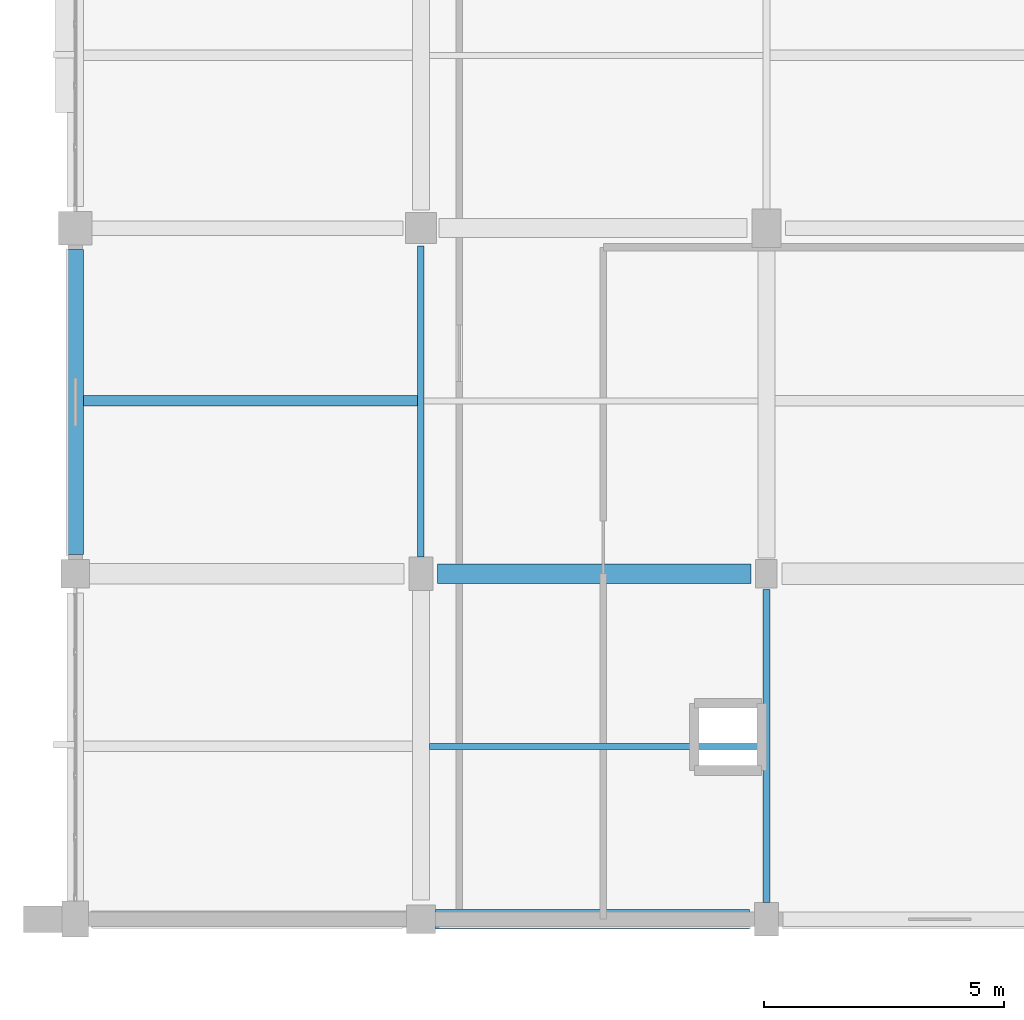
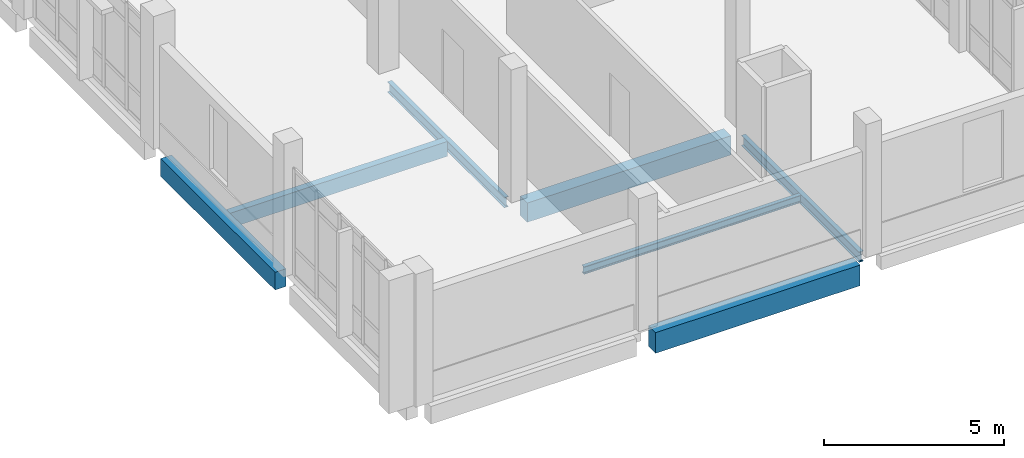
# One storey, part 8 of 124: 7 beams.
"""IFC4 building model written with IfcOpenShell, lengths in metres."""

from ifc_helpers import new_model, si_unit, direction, frame, origin, origin_2d, place, context, subcontext, project, spatial, rectangle, i_section, extrude, material, material_profile, profile_set, type_object, element, save


model = new_model("IFC4")

# Units and contexts
model_context = context("Model", 3, precision=1e-05, world=origin(), true_north=direction((0.0, 1.0)))
body_context = subcontext(model_context, "Body", "Model", "MODEL_VIEW")
ifc_project = project(units=[si_unit("LENGTHUNIT", "METRE"), si_unit("AREAUNIT", "SQUARE_METRE"), si_unit("VOLUMEUNIT", "CUBIC_METRE"), si_unit("PLANEANGLEUNIT", "RADIAN"), si_unit("MASSUNIT", "GRAM", prefix="KILO")], contexts=[model_context])

# Site, building, storey
site_placement = place(None, origin())
site = spatial("IfcSite", under=ifc_project, at=site_placement, CompositionType="ELEMENT")
building_placement = place(site_placement, origin())
building = spatial("IfcBuilding", under=site, at=building_placement, Name="Kalluvel Institute of Natural Sciences", CompositionType="ELEMENT")
storey_placement = place(building_placement, frame((0.0, 0.0, 9.89990234375)))
storey = spatial("IfcBuildingStorey", under=building, at=storey_placement, Name="L02", CompositionType="ELEMENT", Elevation=9.89990234375)

# Beams
ifc_material_1 = material(Name="Steel E350 Grade 350", Category="steel")
ifc_material_profile_1 = material_profile(ifc_material_1, i_section(OverallWidth=0.139892578125, OverallDepth=0.35009765625, WebThickness=0.008056640625, FlangeThickness=0.01416015625, FilletRadius=0.013916015625, at=origin_2d()), Name="ISMB 350")
ifc_profile_set_1 = profile_set([ifc_material_profile_1], Name="Steel E350 Grade 350")
beam_type_1 = type_object("IfcBeamType", Name="BM-ISMB350", PredefinedType="BEAM", material=ifc_profile_set_1)
beam_1_placement = place(storey_placement, frame((21.199951171875, 21.550048828125, -0.474853515625), z_axis=(0.0, 1.0, 0.0), x_axis=(-1.0, 0.0, 0.0)))
element("IfcBeam", 1, at=beam_1_placement, inside=storey, type_object=beam_type_1, Name="L02 girder GIR-L02-NS-X212-Y212", PredefinedType="BEAM", context=body_context, shape_type="SweptSolid", body=[
    extrude(i_section(OverallWidth=0.139892578125, OverallDepth=0.35009765625, WebThickness=0.008056640625, FlangeThickness=0.01416015625, FilletRadius=0.013916015625, at=origin_2d()), origin(), (0.0, 0.0, 1.0), 6.474853515625),
])
beam_2_placement = place(storey_placement, frame((28.39990234375, 14.35009765625, -0.474853515625), z_axis=(0.0, 1.0, 0.0), x_axis=(-1.0, 0.0, 0.0)))
element("IfcBeam", 2, at=beam_2_placement, inside=storey, type_object=beam_type_1, Name="L02 girder GIR-L02-NS-X284-Y140", PredefinedType="BEAM", context=body_context, shape_type="SweptSolid", body=[
    extrude(i_section(OverallWidth=0.139892578125, OverallDepth=0.35009765625, WebThickness=0.008056640625, FlangeThickness=0.01416015625, FilletRadius=0.013916015625, at=origin_2d()), origin(), (0.0, 0.0, 1.0), 6.52490234375),
])
ifc_material_2 = material(Name="Concrete M40", Category="concrete")
ifc_material_profile_2 = material_profile(ifc_material_2, rectangle(XDim=0.39990234375, YDim=0.64990234375, at=origin_2d()), Name="RCB 400x650")
ifc_profile_set_2 = profile_set([ifc_material_profile_2], Name="Concrete M40")
beam_type_2 = type_object("IfcBeamType", Name="BM-RC400x650", PredefinedType="BEAM", material=ifc_profile_set_2)
beam_3_placement = place(storey_placement, frame((21.550048828125, 21.199951171875, -0.625), z_axis=(1.0, 0.0, 0.0), x_axis=(0.0, 1.0, 0.0)))
element("IfcBeam", 3, at=beam_3_placement, inside=storey, type_object=beam_type_2, Name="L02 girder GIR-L02-EW-X212-Y212", PredefinedType="BEAM", context=body_context, shape_type="SweptSolid", body=[
    extrude(rectangle(XDim=0.39990234375, YDim=0.64990234375, at=origin_2d()), origin(), (0.0, 0.0, 1.0), 6.52490234375),
])
ifc_material_profile_3 = material_profile(ifc_material_2, rectangle(XDim=0.35009765625, YDim=0.60009765625, at=origin_2d()), Name="RCB 350x600")
ifc_profile_set_3 = profile_set([ifc_material_profile_3], Name="Concrete M40")
beam_type_3 = type_object("IfcBeamType", Name="SP-RC350x600", PredefinedType="SPANDREL", material=ifc_profile_set_3)
beam_4_placement = place(storey_placement, frame((14.0, 21.60009765625, -0.599853515625), z_axis=(0.0, 1.0, 0.0), x_axis=(-1.0, 0.0, 0.0)))
element("IfcBeam", 4, at=beam_4_placement, inside=storey, type_object=beam_type_3, Name="L02 girder GIR-L02-NS-X140-Y212", PredefinedType="SPANDREL", context=body_context, shape_type="SweptSolid", body=[
    extrude(rectangle(XDim=0.35009765625, YDim=0.60009765625, at=origin_2d()), origin(), (0.0, 0.0, 1.0), 6.349853515625),
])
ifc_material_profile_4 = material_profile(ifc_material_2, rectangle(XDim=0.39990234375, YDim=0.699951171875, at=origin_2d()), Name="RCB 400x700")
ifc_profile_set_4 = profile_set([ifc_material_profile_4], Name="Concrete M40")
beam_type_4 = type_object("IfcBeamType", Name="SP-RC400x700", PredefinedType="SPANDREL", material=ifc_profile_set_4)
beam_5_placement = place(storey_placement, frame((21.5, 14.0, -0.64990234375), z_axis=(1.0, 0.0, 0.0), x_axis=(0.0, 1.0, 0.0)))
element("IfcBeam", 5, at=beam_5_placement, inside=storey, type_object=beam_type_4, Name="L02 girder GIR-L02-EW-X212-Y140", PredefinedType="SPANDREL", context=body_context, shape_type="SweptSolid", body=[
    extrude(rectangle(XDim=0.39990234375, YDim=0.699951171875, at=origin_2d()), origin(), (0.0, 0.0, 1.0), 6.550048828125),
])
ifc_material_profile_5 = material_profile(ifc_material_2, rectangle(XDim=0.219970703125, YDim=0.5, at=origin_2d()), Name="WAF 220x500")
ifc_profile_set_5 = profile_set([ifc_material_profile_5], Name="Concrete M40")
beam_type_5 = type_object("IfcBeamType", Name="WJ-220x500", PredefinedType="JOIST", material=ifc_profile_set_5)
beam_6_placement = place(storey_placement, frame((14.175048828125, 24.800048828125, -0.5498046875), z_axis=(1.0, 0.0, 0.0), x_axis=(0.0, 1.0, 0.0)))
element("IfcBeam", 6, at=beam_6_placement, inside=storey, type_object=beam_type_5, Name="L02 floor rib RIB-L02-0655", PredefinedType="JOIST", context=body_context, shape_type="SweptSolid", body=[
    extrude(rectangle(XDim=0.219970703125, YDim=0.5, at=origin_2d()), origin(), (0.0, 0.0, 1.0), 6.954833984375),
])
ifc_material_profile_6 = material_profile(ifc_material_1, i_section(OverallWidth=0.125, OverallDepth=0.25, WebThickness=0.0068359375, FlangeThickness=0.012451171875, FilletRadius=0.012939453125, at=origin_2d()), Name="ISMB 250")
ifc_profile_set_6 = profile_set([ifc_material_profile_6], Name="Steel E350 Grade 350")
beam_type_6 = type_object("IfcBeamType", Name="WJ-ISMB250", PredefinedType="JOIST", material=ifc_profile_set_6)
beam_7_placement = place(storey_placement, frame((21.375, 17.60009765625, -0.4248046875), z_axis=(1.0, 0.0, 0.0), x_axis=(0.0, 1.0, 0.0)))
element("IfcBeam", 7, at=beam_7_placement, inside=storey, type_object=beam_type_6, Name="L02 floor rib RIB-L02-0654", PredefinedType="JOIST", context=body_context, shape_type="SweptSolid", body=[
    extrude(i_section(OverallWidth=0.125, OverallDepth=0.25, WebThickness=0.0068359375, FlangeThickness=0.012451171875, FilletRadius=0.012939453125, at=origin_2d()), origin(), (0.0, 0.0, 1.0), 6.955078125),
])

save(model, "model.ifc")
